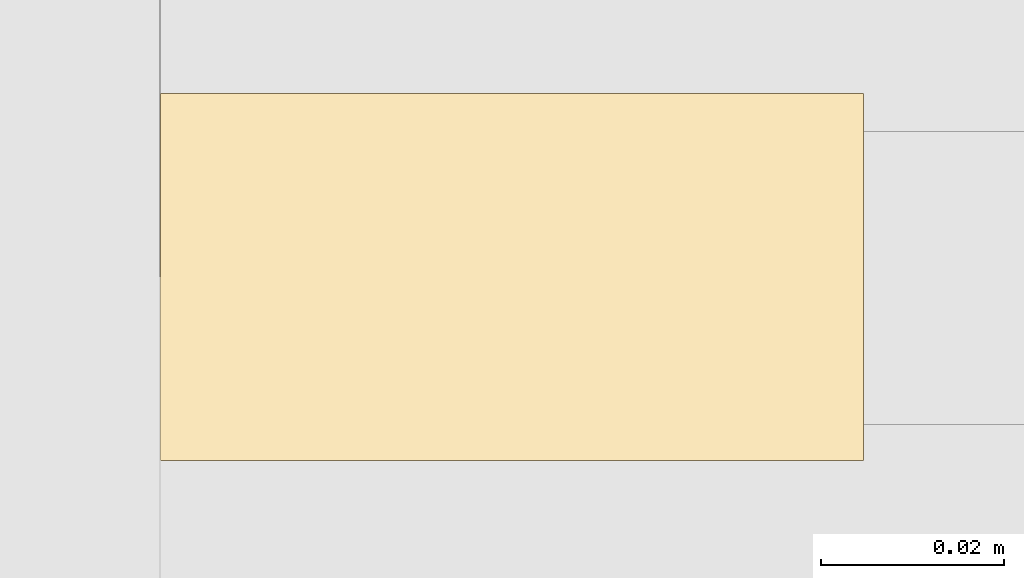
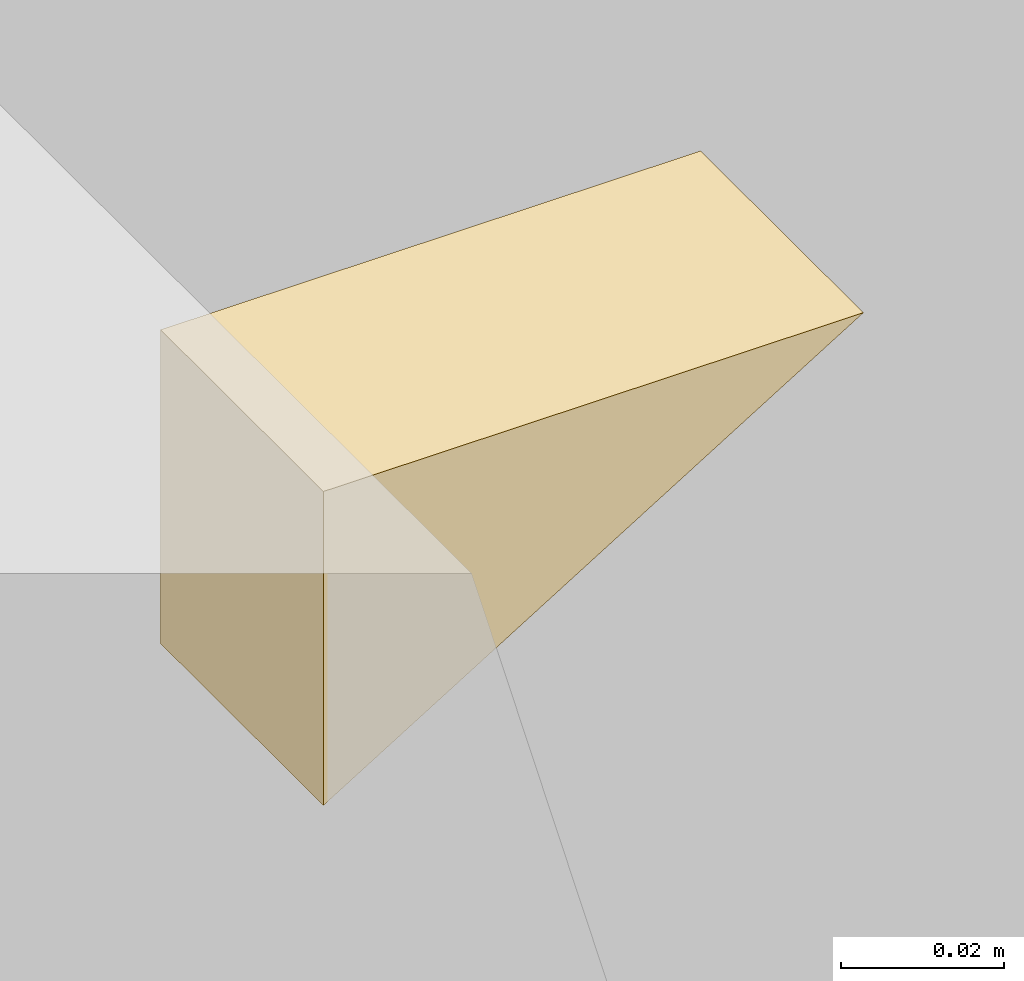
# One storey, part 15 of 17: 1 covering.
"""IFC4 building model written with IfcOpenShell, lengths in metres."""

from ifc_helpers import new_model, si_unit, direction, frame, origin, place, context, subcontext, project, spatial, polyline, outline, extrude, material, layer, layer_set, type_object, element, save


model = new_model("IFC4")

# Units and contexts
model_context = context("Model", 3, precision=1e-05, world=origin(), true_north=direction((0.0, 1.0)))
body_context = subcontext(model_context, "Body", "Model", "MODEL_VIEW")
ifc_project = project(units=[si_unit("LENGTHUNIT", "METRE"), si_unit("AREAUNIT", "SQUARE_METRE"), si_unit("VOLUMEUNIT", "CUBIC_METRE"), si_unit("PLANEANGLEUNIT", "RADIAN"), si_unit("MASSUNIT", "GRAM", prefix="KILO")], contexts=[model_context])

# Site, building, storey
site_placement = place(None, origin())
site = spatial("IfcSite", under=ifc_project, at=site_placement, CompositionType="ELEMENT")
building_placement = place(site_placement, origin())
building = spatial("IfcBuilding", under=site, at=building_placement, Name="Malebo Sky Hospital", CompositionType="ELEMENT")
storey_placement = place(building_placement, frame((0.0, 0.0, 55.0)))
storey = spatial("IfcBuildingStorey", under=building, at=storey_placement, Name="L12", CompositionType="ELEMENT", Elevation=55.0)

# Covering
ifc_material = material(Name="Anodised aluminium, natural silver insulated infill panel", Category="aluminium")
ifc_layer = layer(ifc_material, 0.0400390625)
ifc_layer_set = layer_set([ifc_layer], Name="BRACE INFILL PANEL 40")
covering_type = type_object("IfcCoveringType", Name="BRACE INFILL PANEL 40", PredefinedType="CLADDING", material=ifc_layer_set)
covering_placement = place(storey_placement, frame((78.975830078125, 36.5, 3.94287109375), z_axis=(0.0, 0.0, 1.0), x_axis=(-1.0, 0.0, 0.0)))
element("IfcCovering", 1, at=covering_placement, inside=storey, type_object=covering_type, Name="Brace infill panel 1.1", PredefinedType="CLADDING", context=body_context, shape_type="SweptSolid", body=[
    extrude(outline(polyline([(0.038330078125, 0.0), (0.038330078125, 0.047119140625), (-0.038330078125, 0.047119140625), (0.038330078125, 0.0)])), frame((0.0, 0.02001953125, 0.0), z_axis=(0.0, -1.0, 0.0), x_axis=(1.0, 0.0, 0.0)), (0.0, 0.0, 1.0), 0.0400390625),
])

save(model, "model.ifc")
